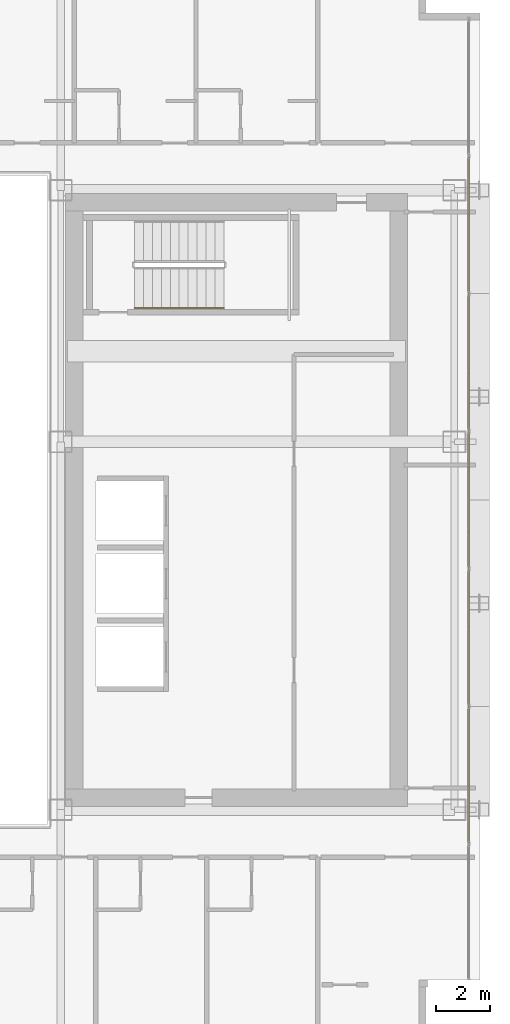
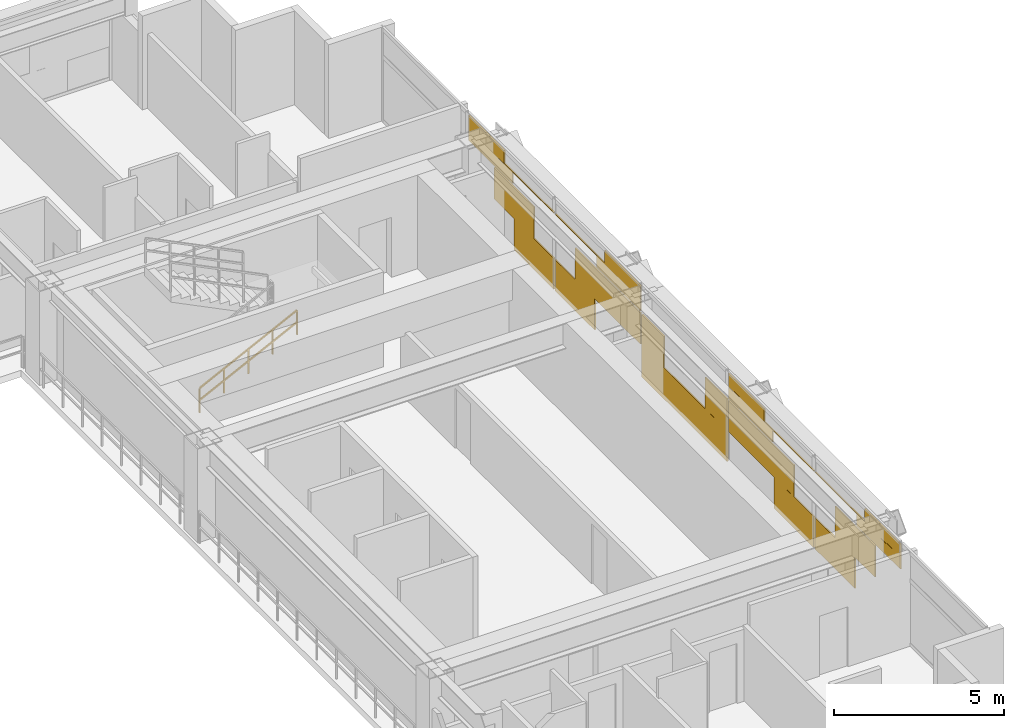
# One storey, part 35 of 36: 1 covering, 1 railing.
"""IFC4 building model written with IfcOpenShell, lengths in metres."""

import ifcopenshell
import ifcopenshell.guid

model = None  # the IFC model being written
_history = None  # IfcOwnerHistory: only IFC2X3 demands one
_inside = {}  # id of a spatial element -> (the spatial element, [elements in it])
_under = {}  # id of a project, library or spatial element -> (it, [spatial elements below it])
_declared = {}  # id of a project -> (the project, [libraries it declares])
_typed = {}  # id of a type object -> (the type object, [elements of that type])
_made_of = {}  # id of a material, layer set ... -> (it, [elements and type objects made of it])


def new_model(schema):
    """Start an empty IFC model of exactly this schema.

    Asked for "IFC4X3", IfcOpenShell would pick the latest addendum, in which some entities
    have other attributes; the version numbers below select the first issue.
    IFC2X3 requires an IfcOwnerHistory on every rooted entity: one is made here for all.
    """
    global model, _history
    if schema == "IFC4X3":
        model = ifcopenshell.file(schema_version=(4, 3, 0, 0))
    else:
        model = ifcopenshell.file(schema=schema)
    _inside.clear()
    _under.clear()
    _declared.clear()
    _typed.clear()
    _made_of.clear()
    _history = None
    if model.schema == "IFC2X3":
        org = make("IfcOrganization", Name="unknown")
        user = make(
            "IfcPersonAndOrganization",
            ThePerson=make("IfcPerson", FamilyName="unknown"),
            TheOrganization=org,
        )
        app = make(
            "IfcApplication",
            ApplicationDeveloper=org,
            Version="unknown",
            ApplicationFullName="unknown",
            ApplicationIdentifier="unknown",
        )
        _history = make(
            "IfcOwnerHistory",
            OwningUser=user,
            OwningApplication=app,
            ChangeAction="ADDED",
            CreationDate=0,
        )
    return model


def make(cls, **values):
    """One entity of the class cls with the attributes given. An attribute that is None is left unset."""
    return model.create_entity(
        cls, **{name: value for name, value in values.items() if value is not None}
    )


def rooted(cls, **values):
    """An entity with a GlobalId (a new one), such as an element, a storey or a relation."""
    return make(cls, GlobalId=ifcopenshell.guid.new(), OwnerHistory=_history, **values)


def si_unit(unit_type, name, prefix=None):
    """IfcSIUnit, for example si_unit("LENGTHUNIT", "METRE", prefix="MILLI")."""
    return make("IfcSIUnit", UnitType=unit_type, Prefix=prefix, Name=name)


def assignment(units):
    """IfcUnitAssignment: the units of a project."""
    return None if units is None else make("IfcUnitAssignment", Units=units)


def point(xyz):
    """IfcCartesianPoint."""
    return None if xyz is None else make("IfcCartesianPoint", Coordinates=xyz)


def direction(xyz):
    """IfcDirection."""
    return None if xyz is None else make("IfcDirection", DirectionRatios=xyz)


def frame(location, z_axis=None, x_axis=None):
    """IfcAxis2Placement3D, a coordinate frame: its origin and axes. An axis left out is left unset."""
    return make(
        "IfcAxis2Placement3D",
        Location=point(location),
        Axis=direction(z_axis),
        RefDirection=direction(x_axis),
    )


def frame_2d(location, x_axis=None):
    """IfcAxis2Placement2D, a coordinate frame in the plane: its origin and x axis."""
    return make(
        "IfcAxis2Placement2D", Location=point(location), RefDirection=direction(x_axis)
    )


def origin():
    """The frame at (0, 0, 0) with its axes left unset."""
    return frame((0.0, 0.0, 0.0))


def origin_2d():
    """The frame at (0, 0) in the plane with its x axis left unset."""
    return frame_2d((0.0, 0.0))


def place(relative_to, where):
    """IfcLocalPlacement: puts the frame where relative to a parent placement (None: the world)."""
    return make(
        "IfcLocalPlacement", PlacementRelTo=relative_to, RelativePlacement=where
    )


def context(
    kind, dimensions, precision=None, world=None, true_north=None, identifier=None
):
    """IfcGeometricRepresentationContext, for example the 3D "Model" context."""
    return make(
        "IfcGeometricRepresentationContext",
        ContextIdentifier=identifier,
        ContextType=kind,
        CoordinateSpaceDimension=dimensions,
        Precision=precision,
        WorldCoordinateSystem=world,
        TrueNorth=true_north,
    )


def subcontext(parent, identifier, kind, view, scale=None):
    """IfcGeometricRepresentationSubContext, for example "Body" below "Model"."""
    return make(
        "IfcGeometricRepresentationSubContext",
        ContextIdentifier=identifier,
        ContextType=kind,
        ParentContext=parent,
        TargetScale=scale,
        TargetView=view,
    )


def project(units=None, contexts=None):
    """IfcProject with its units and contexts."""
    return rooted(
        "IfcProject",
        Name="project",
        RepresentationContexts=contexts,
        UnitsInContext=assignment(units),
    )


def spatial(cls, under=None, at=None, **own):
    """A site, building, storey or space (cls), placed at a placement, below another one or the project."""
    s = rooted(cls, ObjectPlacement=at, **own)
    if under is not None:
        _under.setdefault(under.id(), (under, []))[1].append(s)
    return s


def profile(cls, at=None, kind="AREA", **sizes):
    """A parametric profile (cls). Its sizes go by their IFC names, for example OverallWidth=200.0."""
    return make(cls, ProfileType=kind, Position=at, **sizes)


def rectangle(**sizes):
    """IfcRectangleProfileDef."""
    return profile("IfcRectangleProfileDef", **sizes)


def extrude(swept, where, along, depth):
    """IfcExtrudedAreaSolid: the profile swept, set in the frame where, extruded along a direction by depth."""
    return make(
        "IfcExtrudedAreaSolid",
        SweptArea=swept,
        Position=where,
        ExtrudedDirection=direction(along),
        Depth=depth,
    )


def shape(context_of_items, identifier, shape_type, items):
    """IfcShapeRepresentation: the items that make up one representation, for example the "Body"."""
    return make(
        "IfcShapeRepresentation",
        ContextOfItems=context_of_items,
        RepresentationIdentifier=identifier,
        RepresentationType=shape_type,
        Items=items,
    )


def material(Name=None, Category=None):
    """IfcMaterial."""
    return make("IfcMaterial", Name=Name, Category=Category)


def layer(
    of_material, thickness, ventilated=None, Name=None, Category=None, Priority=None
):
    """IfcMaterialLayer: one layer of a wall or slab, of a material (None: an air gap)."""
    return make(
        "IfcMaterialLayer",
        Material=of_material,
        LayerThickness=thickness,
        IsVentilated=ventilated,
        Name=Name,
        Category=Category,
        Priority=Priority,
    )


def layer_set(layers, Name=None):
    """IfcMaterialLayerSet."""
    return make("IfcMaterialLayerSet", MaterialLayers=layers, LayerSetName=Name)


def made_of(thing, what):
    """Note that an element or type object is made of a material, layer set ...; save() writes the relation."""
    if what is not None:
        _made_of.setdefault(what.id(), (what, []))[1].append(thing)
    return thing


def type_object(cls, material=None, **own):
    """A type object (cls), such as IfcWallType, which elements share."""
    return made_of(rooted(cls, **own), material)


def element(
    cls,
    number,
    at=None,
    inside=None,
    cuts=None,
    type_object=None,
    material=None,
    context=None,
    identifier="Body",
    shape_type=None,
    held_by="IfcProductDefinitionShape",
    body=None,
    shapes=None,
    **own,
):
    """One element of the class cls, such as IfcWall. Its Tag is "e" and its number.

    at: its placement. inside: the storey or other place that contains it. cuts: it is an
    opening in that element (IfcRelVoidsElement). A single representation is given by context,
    identifier, shape_type and body (its items); several are given by shapes. held_by: the class
    of the entity that holds the representations. save() writes the other relations.
    """
    e = rooted(cls, Tag="e%d" % number, ObjectPlacement=at, **own)
    if body is not None:
        shapes = [shape(context, identifier, shape_type, body)]
    if shapes is not None:
        e.Representation = make(held_by, Representations=shapes)
    if inside is not None:
        _inside.setdefault(inside.id(), (inside, []))[1].append(e)
    if cuts is not None:
        rooted(
            "IfcRelVoidsElement", RelatingBuildingElement=cuts, RelatedOpeningElement=e
        )
    if type_object is not None:
        _typed.setdefault(type_object.id(), (type_object, []))[1].append(e)
    return made_of(e, material)


def aggregate(whole, parts):
    """IfcRelAggregates: a whole, such as a stair, and the parts it consists of."""
    return rooted("IfcRelAggregates", RelatingObject=whole, RelatedObjects=parts)


def save(model, path):
    """Write the relations noted so far, then the file.

    IfcRelAggregates (storeys below a building ...), IfcRelContainedInSpatialStructure (elements
    in a storey), IfcRelDefinesByType, IfcRelAssociatesMaterial and IfcRelDeclares: one each for
    every whole, place, type object, material and project.
    """
    for whole, parts in _under.values():
        aggregate(whole, parts)
    for where, things in _inside.values():
        rooted(
            "IfcRelContainedInSpatialStructure",
            RelatedElements=things,
            RelatingStructure=where,
        )
    for kind, things in _typed.values():
        rooted("IfcRelDefinesByType", RelatedObjects=things, RelatingType=kind)
    for what, things in _made_of.values():
        rooted("IfcRelAssociatesMaterial", RelatedObjects=things, RelatingMaterial=what)
    for by, libraries in _declared.values():
        rooted("IfcRelDeclares", RelatingContext=by, RelatedDefinitions=libraries)
    model.write(path)


model = new_model("IFC4")

# Units and contexts
model_context = context("Model", 3, precision=1e-05, world=origin(), true_north=direction((0.0, 1.0)))
body_context = subcontext(model_context, "Body", "Model", "MODEL_VIEW")
ifc_project = project(units=[si_unit("LENGTHUNIT", "METRE"), si_unit("AREAUNIT", "SQUARE_METRE"), si_unit("VOLUMEUNIT", "CUBIC_METRE"), si_unit("PLANEANGLEUNIT", "RADIAN"), si_unit("MASSUNIT", "GRAM", prefix="KILO")], contexts=[model_context])

# Site, building, storey
site_placement = place(None, origin())
site = spatial("IfcSite", under=ifc_project, at=site_placement, CompositionType="ELEMENT")
building_placement = place(site_placement, origin())
building = spatial("IfcBuilding", under=site, at=building_placement, Name="Ocotamira Hotel", CompositionType="ELEMENT")
storey_placement = place(building_placement, frame((0.0, 0.0, 129.60009765625)))
storey = spatial("IfcBuildingStorey", under=building, at=storey_placement, Name="L32", CompositionType="ELEMENT", Elevation=129.60009765625)

# Covering
ifc_material_1 = material(Name="Insulated pale-metal aluminium spandrel panel", Category="aluminium")
ifc_layer = layer(ifc_material_1, 0.044921875)
ifc_layer_set = layer_set([ifc_layer], Name="Insulated pale-metal aluminium spandrel panel")
covering_type = type_object("IfcCoveringType", Name="COV-INFILL-45", PredefinedType="CLADDING", material=ifc_layer_set)
covering_placement = place(storey_placement, origin())
element("IfcCovering", 1, at=covering_placement, inside=storey, type_object=covering_type, Name="L32 Curtain Wall Infill CW-3 CW-L32-E", PredefinedType="CLADDING", context=body_context, shape_type="SweptSolid", body=[
    extrude(rectangle(XDim=2.35107421875, YDim=0.044921875, at=origin_2d()), frame((55.580078125, 15.988525390625, 1.19384765625), z_axis=(0.0, 0.0, 1.0), x_axis=(0.0, 1.0, 0.0)), (0.0, 0.0, 1.0), 1.117919921875),
    extrude(rectangle(XDim=2.331787109375, YDim=0.044921875, at=origin_2d()), frame((55.580078125, 17.1650390625, 0.075439453125), z_axis=(0.0, 0.0, 1.0), x_axis=(0.0, 1.0, 0.0)), (0.0, 0.0, 1.0), 1.11767578125),
    extrude(rectangle(XDim=2.572265625, YDim=0.044921875, at=origin_2d()), frame((55.580078125, 14.6123046875, 2.3876953125), z_axis=(0.0, 0.0, 1.0), x_axis=(0.0, 1.0, 0.0)), (0.0, 0.0, 1.0), 0.413330078125),
    extrude(rectangle(XDim=5.004638671875, YDim=0.044921875, at=origin_2d()), frame((55.580078125, 15.82861328125, 2.80224609375), z_axis=(0.0, 0.0, 1.0), x_axis=(0.0, 1.0, 0.0)), (0.0, 0.0, 1.0), 0.033203125),
    extrude(rectangle(XDim=2.096435546875, YDim=0.044921875, at=origin_2d()), frame((55.580078125, 14.37451171875, 2.836669921875), z_axis=(0.0, 0.0, 1.0), x_axis=(0.0, 1.0, 0.0)), (0.0, 0.0, 1.0), 0.44775390625),
    extrude(rectangle(XDim=2.322265625, YDim=0.044921875, at=origin_2d()), frame((55.580078125, 19.572998046875, 0.075439453125), z_axis=(0.0, 0.0, 1.0), x_axis=(0.0, 1.0, 0.0)), (0.0, 0.0, 1.0), 1.11767578125),
    extrude(rectangle(XDim=3.847412109375, YDim=0.044921875, at=origin_2d()), frame((55.580078125, 21.492919921875, 1.19384765625), z_axis=(0.0, 0.0, 1.0), x_axis=(0.0, 1.0, 0.0)), (0.0, 0.0, 1.0), 1.117919921875),
    extrude(rectangle(XDim=5.004638671875, YDim=0.044921875, at=origin_2d()), frame((55.580078125, 20.914306640625, 2.80224609375), z_axis=(0.0, 0.0, 1.0), x_axis=(0.0, 1.0, 0.0)), (0.0, 0.0, 1.0), 0.033203125),
    extrude(rectangle(XDim=2.581787109375, YDim=0.044921875, at=origin_2d()), frame((55.580078125, 22.125732421875, 2.3876953125), z_axis=(0.0, 0.0, 1.0), x_axis=(0.0, 1.0, 0.0)), (0.0, 0.0, 1.0), 0.413330078125),
    extrude(rectangle(XDim=2.106201171875, YDim=0.044921875, at=origin_2d()), frame((55.580078125, 22.363525390625, 2.836669921875), z_axis=(0.0, 0.0, 1.0), x_axis=(0.0, 1.0, 0.0)), (0.0, 0.0, 1.0), 0.44775390625),
    extrude(rectangle(XDim=5.004638671875, YDim=0.044921875, at=origin_2d()), frame((55.580078125, 26.0, 0.075439453125), z_axis=(0.0, 0.0, 1.0), x_axis=(0.0, 1.0, 0.0)), (0.0, 0.0, 1.0), 1.11767578125),
    extrude(rectangle(XDim=1.2998046875, YDim=0.044921875, at=origin_2d()), frame((55.580078125, 24.1474609375, 1.19384765625), z_axis=(0.0, 0.0, 1.0), x_axis=(0.0, 1.0, 0.0)), (0.0, 0.0, 1.0), 1.117919921875),
    extrude(rectangle(XDim=1.2998046875, YDim=0.044921875, at=origin_2d()), frame((55.580078125, 27.8525390625, 1.19384765625), z_axis=(0.0, 0.0, 1.0), x_axis=(0.0, 1.0, 0.0)), (0.0, 0.0, 1.0), 1.117919921875),
    extrude(rectangle(XDim=3.847412109375, YDim=0.044921875, at=origin_2d()), frame((55.580078125, 30.507080078125, 1.19384765625), z_axis=(0.0, 0.0, 1.0), x_axis=(0.0, 1.0, 0.0)), (0.0, 0.0, 1.0), 1.117919921875),
    extrude(rectangle(XDim=2.322265625, YDim=0.044921875, at=origin_2d()), frame((55.580078125, 32.427001953125, 0.075439453125), z_axis=(0.0, 0.0, 1.0), x_axis=(0.0, 1.0, 0.0)), (0.0, 0.0, 1.0), 1.11767578125),
    extrude(rectangle(XDim=2.581787109375, YDim=0.044921875, at=origin_2d()), frame((55.580078125, 29.874267578125, 2.3876953125), z_axis=(0.0, 0.0, 1.0), x_axis=(0.0, 1.0, 0.0)), (0.0, 0.0, 1.0), 0.413330078125),
    extrude(rectangle(XDim=5.004638671875, YDim=0.044921875, at=origin_2d()), frame((55.580078125, 31.085693359375, 2.80224609375), z_axis=(0.0, 0.0, 1.0), x_axis=(0.0, 1.0, 0.0)), (0.0, 0.0, 1.0), 0.033203125),
    extrude(rectangle(XDim=2.106201171875, YDim=0.044921875, at=origin_2d()), frame((55.580078125, 29.636474609375, 2.836669921875), z_axis=(0.0, 0.0, 1.0), x_axis=(0.0, 1.0, 0.0)), (0.0, 0.0, 1.0), 0.44775390625),
    extrude(rectangle(XDim=2.331787109375, YDim=0.044921875, at=origin_2d()), frame((55.580078125, 34.8349609375, 0.075439453125), z_axis=(0.0, 0.0, 1.0), x_axis=(0.0, 1.0, 0.0)), (0.0, 0.0, 1.0), 1.11767578125),
    extrude(rectangle(XDim=2.35107421875, YDim=0.044921875, at=origin_2d()), frame((55.580078125, 36.011474609375, 1.19384765625), z_axis=(0.0, 0.0, 1.0), x_axis=(0.0, 1.0, 0.0)), (0.0, 0.0, 1.0), 1.117919921875),
    extrude(rectangle(XDim=5.004638671875, YDim=0.044921875, at=origin_2d()), frame((55.580078125, 36.17138671875, 2.80224609375), z_axis=(0.0, 0.0, 1.0), x_axis=(0.0, 1.0, 0.0)), (0.0, 0.0, 1.0), 0.033203125),
    extrude(rectangle(XDim=2.572265625, YDim=0.044921875, at=origin_2d()), frame((55.580078125, 37.3876953125, 2.3876953125), z_axis=(0.0, 0.0, 1.0), x_axis=(0.0, 1.0, 0.0)), (0.0, 0.0, 1.0), 0.413330078125),
    extrude(rectangle(XDim=2.096435546875, YDim=0.044921875, at=origin_2d()), frame((55.580078125, 37.62548828125, 2.836669921875), z_axis=(0.0, 0.0, 1.0), x_axis=(0.0, 1.0, 0.0)), (0.0, 0.0, 1.0), 0.44775390625),
])

# Railing
ifc_material_2 = material(Name="Brushed stainless steel handrail", Category="steel")
railing_type = type_object("IfcRailingType", Name="RL-HAND-900", PredefinedType="HANDRAIL", material=ifc_material_2)
railing_placement = place(storey_placement, frame((43.22998046875, 33.10009765625, 0.3271484375)))
element("IfcRailing", 2, at=railing_placement, inside=storey, type_object=railing_type, Name="L32 ST-4 stair handrail 1", PredefinedType="HANDRAIL", context=body_context, shape_type="SweptSolid", body=[
    extrude(rectangle(XDim=0.048095703125, YDim=0.048095703125, at=origin_2d()), frame((0.0, 0.0, 0.8759765625), z_axis=(0.895893744519, 0.0, 0.4442683857), x_axis=(0.0, 1.0, 0.0)), (0.0, 0.0, 1.0), 3.68359375),
    extrude(rectangle(XDim=0.048095703125, YDim=0.048095703125, at=origin_2d()), frame((0.0, 0.0, 0.449951171875), z_axis=(0.895893744519, 0.0, 0.4442683857), x_axis=(0.0, 1.0, 0.0)), (0.0, 0.0, 1.0), 3.68359375),
    extrude(rectangle(XDim=0.0419921875, YDim=0.0419921875, at=origin_2d()), origin(), (0.0, 0.0, 1.0), 0.851806640625),
    extrude(rectangle(XDim=0.0419921875, YDim=0.0419921875, at=origin_2d()), frame((0.824951171875, 0.0, 0.4091796875)), (0.0, 0.0, 1.0), 0.851806640625),
    extrude(rectangle(XDim=0.0419921875, YDim=0.0419921875, at=origin_2d()), frame((1.64990234375, 0.0, 0.818359375)), (0.0, 0.0, 1.0), 0.851806640625),
    extrude(rectangle(XDim=0.0419921875, YDim=0.0419921875, at=origin_2d()), frame((2.47509765625, 0.0, 1.227294921875)), (0.0, 0.0, 1.0), 0.851806640625),
    extrude(rectangle(XDim=0.0419921875, YDim=0.0419921875, at=origin_2d()), frame((3.300048828125, 0.0, 1.636474609375)), (0.0, 0.0, 1.0), 0.851806640625),
])

save(model, "model.ifc")
